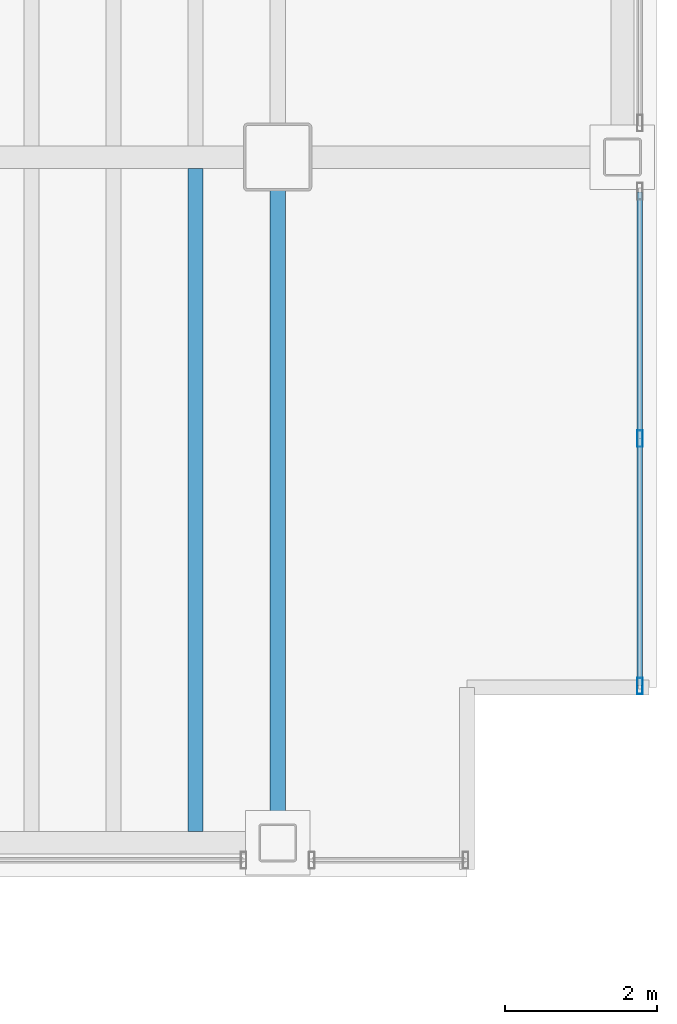
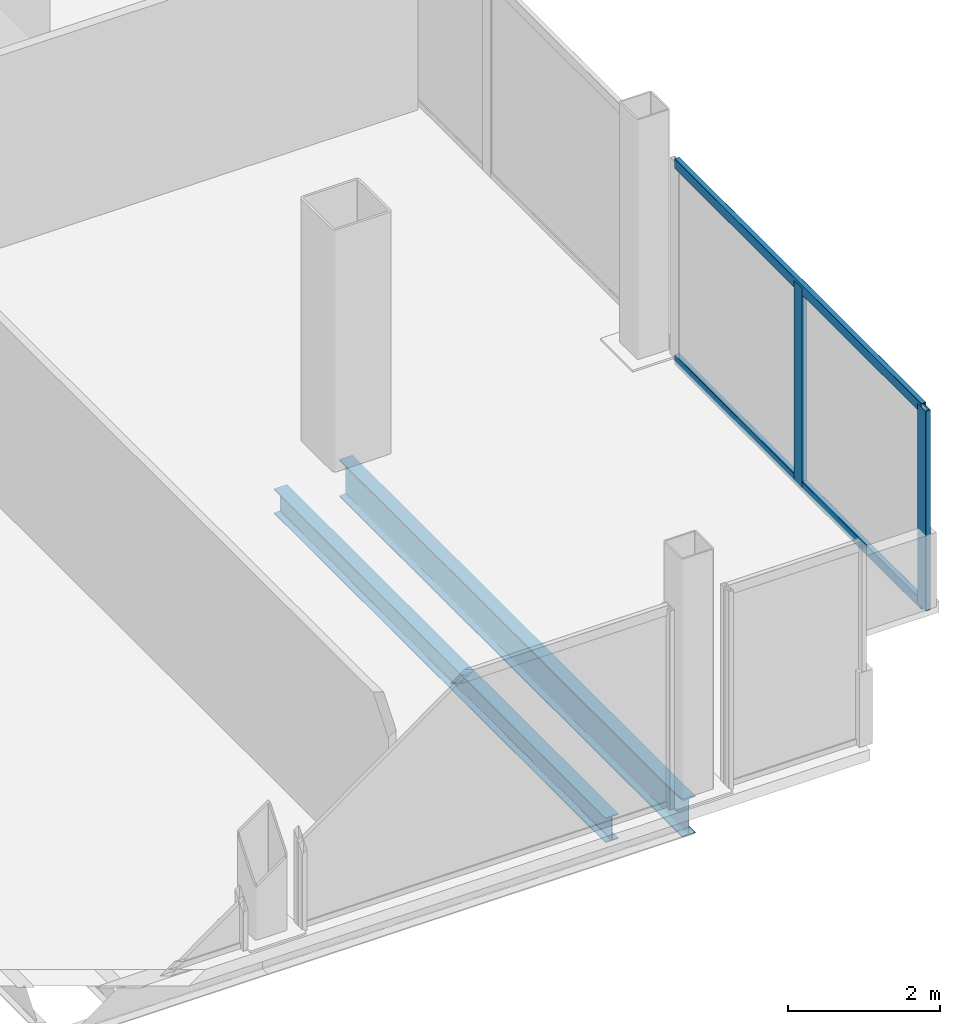
# One storey, part 13 of 20: 4 members, 2 beams, 1 element without a shape of its own.
"""IFC4 building model written with IfcOpenShell, lengths in metres."""

from ifc_helpers import new_model, si_unit, direction, frame, origin, origin_2d, place, context, subcontext, project, spatial, hollow_rectangle, i_section, extrude, material, material_profile, profile_set, type_object, element, aggregate, save


model = new_model("IFC4")

# Units and contexts
model_context = context("Model", 3, precision=1e-05, world=origin(), true_north=direction((0.0, 1.0)))
body_context = subcontext(model_context, "Body", "Model", "MODEL_VIEW")
ifc_project = project(units=[si_unit("LENGTHUNIT", "METRE"), si_unit("AREAUNIT", "SQUARE_METRE"), si_unit("VOLUMEUNIT", "CUBIC_METRE"), si_unit("PLANEANGLEUNIT", "RADIAN"), si_unit("MASSUNIT", "GRAM", prefix="KILO")], contexts=[model_context])

# Site, building, storey
site_placement = place(None, origin())
site = spatial("IfcSite", under=ifc_project, at=site_placement, CompositionType="ELEMENT")
building_placement = place(site_placement, origin())
building = spatial("IfcBuilding", under=site, at=building_placement, Name="Noeulbin Bourse Tower", CompositionType="ELEMENT")
storey_placement = place(building_placement, frame((0.0, 0.0, 118.800048828125)))
storey = spatial("IfcBuildingStorey", under=building, at=storey_placement, Name="L29", CompositionType="ELEMENT", Elevation=118.800048828125)

# Beams
ifc_material_1 = material(Name="Steel S355", Category="steel")
ifc_material_profile_1 = material_profile(ifc_material_1, i_section(OverallWidth=0.199951171875, OverallDepth=0.60009765625, WebThickness=0.010986328125, FlangeThickness=0.01708984375, FilletRadius=0.02197265625, at=origin_2d()), Name="H-600x200x11x17", Category="LoadBearing")
ifc_profile_set_1 = profile_set([ifc_material_profile_1], Name="Steel S355")
beam_type_1 = type_object("IfcBeamType", Name="BM-GRD-600", PredefinedType="USERDEFINED", material=ifc_profile_set_1)
beam_1_placement = place(storey_placement, frame((44.0, 10.949951171875, -0.47998046875), z_axis=(0.0, 1.0, 0.0), x_axis=(-1.0, 0.0, 0.0)))
element("IfcBeam", 1, at=beam_1_placement, inside=storey, type_object=beam_type_1, Name="Tower Primary Girder NS L29-5.1", ObjectType="GIRDER", PredefinedType="USERDEFINED", context=body_context, shape_type="SweptSolid", body=[
    extrude(i_section(OverallWidth=0.199951171875, OverallDepth=0.60009765625, WebThickness=0.010986328125, FlangeThickness=0.01708984375, FilletRadius=0.02197265625, at=origin_2d()), origin(), (0.0, 0.0, 1.0), 9.050048828125),
])
ifc_material_profile_2 = material_profile(ifc_material_1, i_section(OverallWidth=0.199951171875, OverallDepth=0.39990234375, WebThickness=0.008056640625, FlangeThickness=0.012939453125, FilletRadius=0.01611328125, at=origin_2d()), Name="H-400x200x8x13", Category="LoadBearing")
ifc_profile_set_2 = profile_set([ifc_material_profile_2], Name="Steel S355")
beam_type_2 = type_object("IfcBeamType", Name="BM-SEC-400", PredefinedType="BEAM", material=ifc_profile_set_2)
beam_2_placement = place(storey_placement, frame((42.916748046875, 11.10009765625, -0.380126953125), z_axis=(0.0, 1.0, 0.0), x_axis=(-1.0, 0.0, 0.0)))
element("IfcBeam", 2, at=beam_2_placement, inside=storey, type_object=beam_type_2, Name="Tower Composite Joist L29-45", PredefinedType="BEAM", context=body_context, shape_type="SweptSolid", body=[
    extrude(i_section(OverallWidth=0.199951171875, OverallDepth=0.39990234375, WebThickness=0.008056640625, FlangeThickness=0.012939453125, FilletRadius=0.01611328125, at=origin_2d()), origin(), (0.0, 0.0, 1.0), 8.75),
])

# Curtain wall, members
ifc_material_2 = material(Name="Dark Tinted Triple Glazing", Category="glass")
curtain_wall_type = type_object("IfcCurtainWallType", Name="CW-SYS-3", PredefinedType="NOTDEFINED", material=ifc_material_2)
curtain_wall_placement = place(storey_placement, origin())
curtain_wall = element("IfcCurtainWall", 3, at=curtain_wall_placement, inside=storey, type_object=curtain_wall_type, Name="Unitised Curtain Wall CW-L29-E-S1", PredefinedType="NOTDEFINED")
ifc_material_3 = material(Name="Anodised Aluminium 6063-T6", Category="aluminium")
ifc_material_profile_3 = material_profile(ifc_material_3, hollow_rectangle(XDim=0.074951171875, YDim=0.219970703125, WallThickness=0.0048828125, InnerFilletRadius=0.00244140625, OuterFilletRadius=0.0048828125, at=origin_2d()), Name="ALU-MULL-75x220x5", Category="LoadBearing")
ifc_profile_set_3 = profile_set([ifc_material_profile_3], Name="Anodised Aluminium 6063-T6")
member_type_1 = type_object("IfcMemberType", Name="CW-SYS-3-MUL", PredefinedType="MULLION", material=ifc_profile_set_3)
member_1_placement = place(storey_placement, frame((48.780029296875, 13.02001953125, -0.02001953125), z_axis=(0.0, 0.0, 1.0), x_axis=(1.0, 0.0, 0.0)))
member_1 = element("IfcMember", 4, at=member_1_placement, type_object=member_type_1, Name="Curtain Wall Mullion CW-L29-E-S1-M00", PredefinedType="MULLION", context=body_context, shape_type="SweptSolid", body=[
    extrude(hollow_rectangle(XDim=0.074951171875, YDim=0.219970703125, WallThickness=0.0048828125, InnerFilletRadius=0.00244140625, OuterFilletRadius=0.0048828125, at=origin_2d()), origin(), (0.0, 0.0, 1.0), 3.219970703125),
])
member_2_placement = place(storey_placement, frame((48.780029296875, 16.284912109375, -0.02001953125), z_axis=(0.0, 0.0, 1.0), x_axis=(1.0, 0.0, 0.0)))
member_2 = element("IfcMember", 5, at=member_2_placement, type_object=member_type_1, Name="Curtain Wall Mullion CW-L29-E-S1-M01", PredefinedType="MULLION", context=body_context, shape_type="SweptSolid", body=[
    extrude(hollow_rectangle(XDim=0.074951171875, YDim=0.219970703125, WallThickness=0.0048828125, InnerFilletRadius=0.00244140625, OuterFilletRadius=0.0048828125, at=origin_2d()), origin(), (0.0, 0.0, 1.0), 3.219970703125),
])
ifc_material_profile_4 = material_profile(ifc_material_3, hollow_rectangle(XDim=0.074951171875, YDim=0.159912109375, WallThickness=0.0048828125, InnerFilletRadius=0.00244140625, OuterFilletRadius=0.0048828125, at=origin_2d()), Name="ALU-TRAN-75x160x5", Category="LoadBearing")
ifc_profile_set_4 = profile_set([ifc_material_profile_4], Name="Anodised Aluminium 6063-T6")
member_type_2 = type_object("IfcMemberType", Name="CW-SYS-3-TRN", PredefinedType="USERDEFINED", material=ifc_profile_set_4)
member_3_placement = place(storey_placement, frame((48.780029296875, 13.030029296875, 0.010009765625), z_axis=(0.0, 1.0, 0.0), x_axis=(-1.0, 0.0, 0.0)))
member_3 = element("IfcMember", 6, at=member_3_placement, type_object=member_type_2, Name="Curtain Wall Transom CW-L29-E-S1-T00", ObjectType="TRANSOM", PredefinedType="USERDEFINED", context=body_context, shape_type="SweptSolid", body=[
    extrude(hollow_rectangle(XDim=0.074951171875, YDim=0.159912109375, WallThickness=0.0048828125, InnerFilletRadius=0.00244140625, OuterFilletRadius=0.0048828125, at=origin_2d()), origin(), (0.0, 0.0, 1.0), 6.510009765625),
])
member_4_placement = place(storey_placement, frame((48.780029296875, 13.030029296875, 3.169921875), z_axis=(0.0, 1.0, 0.0), x_axis=(-1.0, 0.0, 0.0)))
member_4 = element("IfcMember", 7, at=member_4_placement, type_object=member_type_2, Name="Curtain Wall Transom CW-L29-E-S1-T01", ObjectType="TRANSOM", PredefinedType="USERDEFINED", context=body_context, shape_type="SweptSolid", body=[
    extrude(hollow_rectangle(XDim=0.074951171875, YDim=0.159912109375, WallThickness=0.0048828125, InnerFilletRadius=0.00244140625, OuterFilletRadius=0.0048828125, at=origin_2d()), origin(), (0.0, 0.0, 1.0), 6.510009765625),
])
aggregate(curtain_wall, [member_1, member_2, member_3, member_4])

save(model, "model.ifc")
